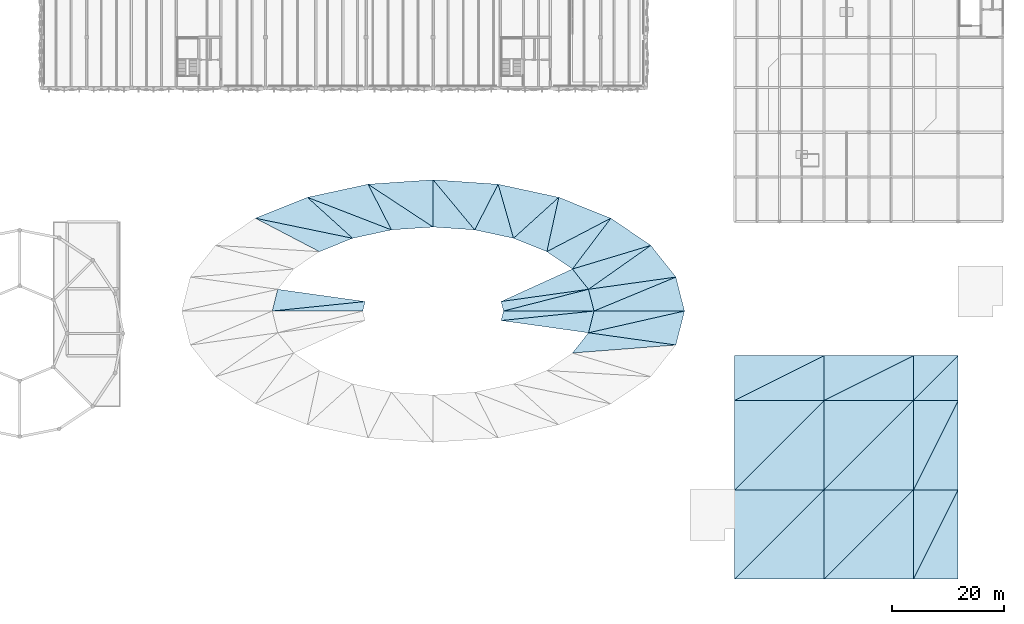
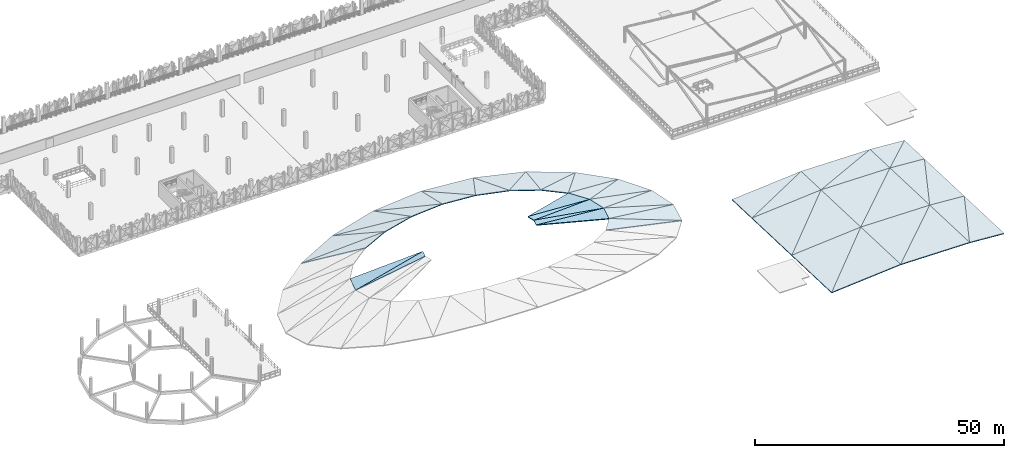
# One storey, part 44 of 52: 46 roofs.
"""IFC4 building model written with IfcOpenShell, lengths in metres."""

from ifc_helpers import new_model, si_unit, derived_unit, direction, frame, origin, place, context, subcontext, project, spatial, polygons, material, layer, layer_set, type_object, element, save


model = new_model("IFC4")

# Units and contexts
model_context = context("Model", 3, precision=1e-05, world=origin(), true_north=direction((0.0, 1.0)))
body_context = subcontext(model_context, "Body", "Model", "MODEL_VIEW")
ifc_project = project(units=[si_unit("LENGTHUNIT", "METRE"), si_unit("AREAUNIT", "SQUARE_METRE"), si_unit("VOLUMEUNIT", "CUBIC_METRE"), si_unit("PLANEANGLEUNIT", "RADIAN"), si_unit("MASSUNIT", "GRAM", prefix="KILO"), si_unit("THERMODYNAMICTEMPERATUREUNIT", "KELVIN"), derived_unit("THERMALTRANSMITTANCEUNIT", [(si_unit("POWERUNIT", "WATT"), 1), (si_unit("AREAUNIT", "SQUARE_METRE"), -1), (si_unit("THERMODYNAMICTEMPERATUREUNIT", "KELVIN"), -1)])], contexts=[model_context])

# Site, building, storey
site_placement = place(None, origin())
site = spatial("IfcSite", under=ifc_project, at=site_placement, CompositionType="ELEMENT")
building_placement = place(site_placement, origin())
building = spatial("IfcBuilding", under=site, at=building_placement, Name="Haiyu Intermodal Mobility Hub", CompositionType="ELEMENT")
storey_placement = place(building_placement, frame((0.0, 0.0, 21.199951171875)))
storey = spatial("IfcBuildingStorey", under=building, at=storey_placement, Name="L05", CompositionType="ELEMENT", Elevation=21.199951171875)

# Roofs
ifc_material = material(Name="Steel Q355C", Category="steel")
ifc_layer_1 = layer(ifc_material, 0.219970703125)
ifc_layer_set_1 = layer_set([ifc_layer_1], Name="Steel Q355C")
roof_type_1 = type_object("IfcRoofType", Name="ROF-RF01", PredefinedType="FREEFORM", material=ifc_layer_set_1)
roof_1_placement = place(storey_placement, origin())
element("IfcRoof", 1, at=roof_1_placement, inside=storey, type_object=roof_type_1, Name="Saddle Cable-Net Roof Panel 025", PredefinedType="FREEFORM", context=body_context, shape_type="Tessellation", body=[
    polygons([(120.60009765625, 64.0, 3.111083984375), (136.800048828125, 64.0, 0.412109375), (135.819091796875, 67.89306640625, 0.54296875), (120.60009765625, 64.0, 3.31103515625), (136.800048828125, 64.0, 0.612060546875), (135.819091796875, 67.89306640625, 0.7431640625)], [[[3, 2, 1]], [[4, 5, 6]], [[1, 2, 5, 4]], [[2, 3, 6, 5]], [[3, 1, 4, 6]]], closed=True),
])
roof_2_placement = place(storey_placement, origin())
element("IfcRoof", 2, at=roof_2_placement, inside=storey, type_object=roof_type_1, Name="Saddle Cable-Net Roof Panel 026", PredefinedType="FREEFORM", context=body_context, shape_type="Tessellation", body=[
    polygons([(120.60009765625, 64.0, 3.111083984375), (135.819091796875, 67.89306640625, 0.54296875), (120.1708984375, 65.702880859375, 3.135986328125), (120.60009765625, 64.0, 3.31103515625), (135.819091796875, 67.89306640625, 0.7431640625), (120.1708984375, 65.702880859375, 3.3359375)], [[[3, 2, 1]], [[4, 5, 6]], [[1, 2, 5, 4]], [[2, 3, 6, 5]], [[3, 1, 4, 6]]], closed=True),
])
roof_3_placement = place(storey_placement, origin())
element("IfcRoof", 3, at=roof_3_placement, inside=storey, type_object=roof_type_1, Name="Saddle Cable-Net Roof Panel 027", PredefinedType="FREEFORM", context=body_context, shape_type="Tessellation", body=[
    polygons([(120.1708984375, 65.702880859375, 3.135986328125), (135.819091796875, 67.89306640625, 0.54296875), (132.94189453125, 71.52001953125, 0.903076171875), (120.1708984375, 65.702880859375, 3.3359375), (135.819091796875, 67.89306640625, 0.7431640625), (132.94189453125, 71.52001953125, 1.10302734375)], [[[3, 2, 1]], [[4, 5, 6]], [[1, 2, 5, 4]], [[2, 3, 6, 5]], [[3, 1, 4, 6]]], closed=True),
])
roof_4_placement = place(storey_placement, origin())
element("IfcRoof", 4, at=roof_4_placement, inside=storey, type_object=roof_type_1, Name="Saddle Cable-Net Roof Panel 047", PredefinedType="FREEFORM", context=body_context, shape_type="Tessellation", body=[
    polygons([(95.8291015625, 65.702880859375, 3.135986328125), (80.180908203125, 67.89306640625, 0.54296875), (79.199951171875, 64.0, 0.412109375), (95.8291015625, 65.702880859375, 3.3359375), (80.180908203125, 67.89306640625, 0.7431640625), (79.199951171875, 64.0, 0.612060546875)], [[[3, 2, 1]], [[4, 5, 6]], [[1, 2, 5, 4]], [[2, 3, 6, 5]], [[3, 1, 4, 6]]], closed=True),
])
roof_5_placement = place(storey_placement, origin())
element("IfcRoof", 5, at=roof_5_placement, inside=storey, type_object=roof_type_1, Name="Saddle Cable-Net Roof Panel 048", PredefinedType="FREEFORM", context=body_context, shape_type="Tessellation", body=[
    polygons([(95.8291015625, 65.702880859375, 3.135986328125), (79.199951171875, 64.0, 0.412109375), (95.39990234375, 64.0, 3.111083984375), (95.8291015625, 65.702880859375, 3.3359375), (79.199951171875, 64.0, 0.612060546875), (95.39990234375, 64.0, 3.31103515625)], [[[3, 2, 1]], [[4, 5, 6]], [[1, 2, 5, 4]], [[2, 3, 6, 5]], [[3, 1, 4, 6]]], closed=True),
])
roof_6_placement = place(storey_placement, origin())
element("IfcRoof", 6, at=roof_6_placement, inside=storey, type_object=roof_type_1, Name="Saddle Cable-Net Roof Panel 071", PredefinedType="FREEFORM", context=body_context, shape_type="Tessellation", body=[
    polygons([(120.1708984375, 62.297119140625, 3.135986328125), (135.819091796875, 60.10693359375, 0.54296875), (136.800048828125, 64.0, 0.412109375), (120.1708984375, 62.297119140625, 3.3359375), (135.819091796875, 60.10693359375, 0.7431640625), (136.800048828125, 64.0, 0.612060546875)], [[[3, 2, 1]], [[4, 5, 6]], [[1, 2, 5, 4]], [[2, 3, 6, 5]], [[3, 1, 4, 6]]], closed=True),
])
roof_7_placement = place(storey_placement, origin())
element("IfcRoof", 7, at=roof_7_placement, inside=storey, type_object=roof_type_1, Name="Saddle Cable-Net Roof Panel 072", PredefinedType="FREEFORM", context=body_context, shape_type="Tessellation", body=[
    polygons([(120.1708984375, 62.297119140625, 3.135986328125), (136.800048828125, 64.0, 0.412109375), (120.60009765625, 64.0, 3.111083984375), (120.1708984375, 62.297119140625, 3.3359375), (136.800048828125, 64.0, 0.612060546875), (120.60009765625, 64.0, 3.31103515625)], [[[3, 2, 1]], [[4, 5, 6]], [[1, 2, 5, 4]], [[2, 3, 6, 5]], [[3, 1, 4, 6]]], closed=True),
])
roof_8_placement = place(storey_placement, origin())
element("IfcRoof", 8, at=roof_8_placement, inside=storey, type_object=roof_type_1, Name="Saddle Cable-Net Roof Panel 073", PredefinedType="FREEFORM", context=body_context, shape_type="Tessellation", body=[
    polygons([(136.800048828125, 64.0, 0.412109375), (153.0, 64.0, -4.39990234375), (151.467041015625, 70.08203125, -4.078857421875), (136.800048828125, 64.0, 0.612060546875), (153.0, 64.0, -4.199951171875), (151.467041015625, 70.08203125, -3.87890625)], [[[3, 2, 1]], [[4, 5, 6]], [[1, 2, 5, 4]], [[2, 3, 6, 5]], [[3, 1, 4, 6]]], closed=True),
])
roof_9_placement = place(storey_placement, origin())
element("IfcRoof", 9, at=roof_9_placement, inside=storey, type_object=roof_type_1, Name="Saddle Cable-Net Roof Panel 074", PredefinedType="FREEFORM", context=body_context, shape_type="Tessellation", body=[
    polygons([(136.800048828125, 64.0, 0.412109375), (151.467041015625, 70.08203125, -4.078857421875), (135.819091796875, 67.89306640625, 0.54296875), (136.800048828125, 64.0, 0.612060546875), (151.467041015625, 70.08203125, -3.87890625), (135.819091796875, 67.89306640625, 0.7431640625)], [[[3, 2, 1]], [[4, 5, 6]], [[1, 2, 5, 4]], [[2, 3, 6, 5]], [[3, 1, 4, 6]]], closed=True),
])
roof_10_placement = place(storey_placement, origin())
element("IfcRoof", 10, at=roof_10_placement, inside=storey, type_object=roof_type_1, Name="Saddle Cable-Net Roof Panel 075", PredefinedType="FREEFORM", context=body_context, shape_type="Tessellation", body=[
    polygons([(135.819091796875, 67.89306640625, 0.54296875), (151.467041015625, 70.08203125, -4.078857421875), (146.970947265625, 75.75, -3.199951171875), (135.819091796875, 67.89306640625, 0.7431640625), (151.467041015625, 70.08203125, -3.87890625), (146.970947265625, 75.75, -3.0)], [[[3, 2, 1]], [[4, 5, 6]], [[1, 2, 5, 4]], [[2, 3, 6, 5]], [[3, 1, 4, 6]]], closed=True),
])
roof_11_placement = place(storey_placement, origin())
element("IfcRoof", 11, at=roof_11_placement, inside=storey, type_object=roof_type_1, Name="Saddle Cable-Net Roof Panel 076", PredefinedType="FREEFORM", context=body_context, shape_type="Tessellation", body=[
    polygons([(135.819091796875, 67.89306640625, 0.54296875), (146.970947265625, 75.75, -3.199951171875), (132.94189453125, 71.52001953125, 0.903076171875), (135.819091796875, 67.89306640625, 0.7431640625), (146.970947265625, 75.75, -3.0), (132.94189453125, 71.52001953125, 1.10302734375)], [[[3, 2, 1]], [[4, 5, 6]], [[1, 2, 5, 4]], [[2, 3, 6, 5]], [[3, 1, 4, 6]]], closed=True),
])
roof_12_placement = place(storey_placement, origin())
element("IfcRoof", 12, at=roof_12_placement, inside=storey, type_object=roof_type_1, Name="Saddle Cable-Net Roof Panel 077", PredefinedType="FREEFORM", context=body_context, shape_type="Tessellation", body=[
    polygons([(132.94189453125, 71.52001953125, 0.903076171875), (146.970947265625, 75.75, -3.199951171875), (139.820068359375, 80.616943359375, -2.0), (132.94189453125, 71.52001953125, 1.10302734375), (146.970947265625, 75.75, -3.0), (139.820068359375, 80.616943359375, -1.800048828125)], [[[3, 2, 1]], [[4, 5, 6]], [[1, 2, 5, 4]], [[2, 3, 6, 5]], [[3, 1, 4, 6]]], closed=True),
])
roof_13_placement = place(storey_placement, origin())
element("IfcRoof", 13, at=roof_13_placement, inside=storey, type_object=roof_type_1, Name="Saddle Cable-Net Roof Panel 078", PredefinedType="FREEFORM", context=body_context, shape_type="Tessellation", body=[
    polygons([(132.94189453125, 71.52001953125, 0.903076171875), (139.820068359375, 80.616943359375, -2.0), (128.364990234375, 74.635009765625, 1.39501953125), (132.94189453125, 71.52001953125, 1.10302734375), (139.820068359375, 80.616943359375, -1.800048828125), (128.364990234375, 74.635009765625, 1.594970703125)], [[[3, 2, 1]], [[4, 5, 6]], [[1, 2, 5, 4]], [[2, 3, 6, 5]], [[3, 1, 4, 6]]], closed=True),
])
roof_14_placement = place(storey_placement, origin())
element("IfcRoof", 14, at=roof_14_placement, inside=storey, type_object=roof_type_1, Name="Saddle Cable-Net Roof Panel 079", PredefinedType="FREEFORM", context=body_context, shape_type="Tessellation", body=[
    polygons([(128.364990234375, 74.635009765625, 1.39501953125), (139.820068359375, 80.616943359375, -2.0), (130.5, 84.35205078125, -0.800048828125), (128.364990234375, 74.635009765625, 1.594970703125), (139.820068359375, 80.616943359375, -1.800048828125), (130.5, 84.35205078125, -0.599853515625)], [[[3, 2, 1]], [[4, 5, 6]], [[1, 2, 5, 4]], [[2, 3, 6, 5]], [[3, 1, 4, 6]]], closed=True),
])
roof_15_placement = place(storey_placement, origin())
element("IfcRoof", 15, at=roof_15_placement, inside=storey, type_object=roof_type_1, Name="Saddle Cable-Net Roof Panel 080", PredefinedType="FREEFORM", context=body_context, shape_type="Tessellation", body=[
    polygons([(128.364990234375, 74.635009765625, 1.39501953125), (130.5, 84.35205078125, -0.800048828125), (122.39990234375, 77.02490234375, 1.885986328125), (128.364990234375, 74.635009765625, 1.594970703125), (130.5, 84.35205078125, -0.599853515625), (122.39990234375, 77.02490234375, 2.0859375)], [[[3, 2, 1]], [[4, 5, 6]], [[1, 2, 5, 4]], [[2, 3, 6, 5]], [[3, 1, 4, 6]]], closed=True),
])
roof_16_placement = place(storey_placement, origin())
element("IfcRoof", 16, at=roof_16_placement, inside=storey, type_object=roof_type_1, Name="Saddle Cable-Net Roof Panel 081", PredefinedType="FREEFORM", context=body_context, shape_type="Tessellation", body=[
    polygons([(122.39990234375, 77.02490234375, 1.885986328125), (130.5, 84.35205078125, -0.800048828125), (119.64697265625, 86.698974609375, 0.0791015625), (122.39990234375, 77.02490234375, 2.0859375), (130.5, 84.35205078125, -0.599853515625), (119.64697265625, 86.698974609375, 0.279052734375)], [[[3, 2, 1]], [[4, 5, 6]], [[1, 2, 5, 4]], [[2, 3, 6, 5]], [[3, 1, 4, 6]]], closed=True),
])
roof_17_placement = place(storey_placement, origin())
element("IfcRoof", 17, at=roof_17_placement, inside=storey, type_object=roof_type_1, Name="Saddle Cable-Net Roof Panel 082", PredefinedType="FREEFORM", context=body_context, shape_type="Tessellation", body=[
    polygons([(122.39990234375, 77.02490234375, 1.885986328125), (119.64697265625, 86.698974609375, 0.0791015625), (115.4541015625, 78.528076171875, 2.24609375), (122.39990234375, 77.02490234375, 2.0859375), (119.64697265625, 86.698974609375, 0.279052734375), (115.4541015625, 78.528076171875, 2.446044921875)], [[[3, 2, 1]], [[4, 5, 6]], [[1, 2, 5, 4]], [[2, 3, 6, 5]], [[3, 1, 4, 6]]], closed=True),
])
roof_18_placement = place(storey_placement, origin())
element("IfcRoof", 18, at=roof_18_placement, inside=storey, type_object=roof_type_1, Name="Saddle Cable-Net Roof Panel 083", PredefinedType="FREEFORM", context=body_context, shape_type="Tessellation", body=[
    polygons([(115.4541015625, 78.528076171875, 2.24609375), (119.64697265625, 86.698974609375, 0.0791015625), (108.0, 87.5, 0.400146484375), (115.4541015625, 78.528076171875, 2.446044921875), (119.64697265625, 86.698974609375, 0.279052734375), (108.0, 87.5, 0.60009765625)], [[[3, 2, 1]], [[4, 5, 6]], [[1, 2, 5, 4]], [[2, 3, 6, 5]], [[3, 1, 4, 6]]], closed=True),
])
roof_19_placement = place(storey_placement, origin())
element("IfcRoof", 19, at=roof_19_placement, inside=storey, type_object=roof_type_1, Name="Saddle Cable-Net Roof Panel 084", PredefinedType="FREEFORM", context=body_context, shape_type="Tessellation", body=[
    polygons([(115.4541015625, 78.528076171875, 2.24609375), (108.0, 87.5, 0.400146484375), (108.0, 79.0400390625, 2.3779296875), (115.4541015625, 78.528076171875, 2.446044921875), (108.0, 87.5, 0.60009765625), (108.0, 79.0400390625, 2.578125)], [[[3, 2, 1]], [[4, 5, 6]], [[1, 2, 5, 4]], [[2, 3, 6, 5]], [[3, 1, 4, 6]]], closed=True),
])
roof_20_placement = place(storey_placement, origin())
element("IfcRoof", 20, at=roof_20_placement, inside=storey, type_object=roof_type_1, Name="Saddle Cable-Net Roof Panel 085", PredefinedType="FREEFORM", context=body_context, shape_type="Tessellation", body=[
    polygons([(108.0, 79.0400390625, 2.3779296875), (108.0, 87.5, 0.400146484375), (96.35302734375, 86.698974609375, 0.0791015625), (108.0, 79.0400390625, 2.578125), (108.0, 87.5, 0.60009765625), (96.35302734375, 86.698974609375, 0.279052734375)], [[[3, 2, 1]], [[4, 5, 6]], [[1, 2, 5, 4]], [[2, 3, 6, 5]], [[3, 1, 4, 6]]], closed=True),
])
roof_21_placement = place(storey_placement, origin())
element("IfcRoof", 21, at=roof_21_placement, inside=storey, type_object=roof_type_1, Name="Saddle Cable-Net Roof Panel 086", PredefinedType="FREEFORM", context=body_context, shape_type="Tessellation", body=[
    polygons([(108.0, 79.0400390625, 2.3779296875), (96.35302734375, 86.698974609375, 0.0791015625), (100.5458984375, 78.528076171875, 2.24609375), (108.0, 79.0400390625, 2.578125), (96.35302734375, 86.698974609375, 0.279052734375), (100.5458984375, 78.528076171875, 2.446044921875)], [[[3, 2, 1]], [[4, 5, 6]], [[1, 2, 5, 4]], [[2, 3, 6, 5]], [[3, 1, 4, 6]]], closed=True),
])
roof_22_placement = place(storey_placement, origin())
element("IfcRoof", 22, at=roof_22_placement, inside=storey, type_object=roof_type_1, Name="Saddle Cable-Net Roof Panel 087", PredefinedType="FREEFORM", context=body_context, shape_type="Tessellation", body=[
    polygons([(100.5458984375, 78.528076171875, 2.24609375), (96.35302734375, 86.698974609375, 0.0791015625), (85.5, 84.35205078125, -0.800048828125), (100.5458984375, 78.528076171875, 2.446044921875), (96.35302734375, 86.698974609375, 0.279052734375), (85.5, 84.35205078125, -0.599853515625)], [[[3, 2, 1]], [[4, 5, 6]], [[1, 2, 5, 4]], [[2, 3, 6, 5]], [[3, 1, 4, 6]]], closed=True),
])
roof_23_placement = place(storey_placement, origin())
element("IfcRoof", 23, at=roof_23_placement, inside=storey, type_object=roof_type_1, Name="Saddle Cable-Net Roof Panel 088", PredefinedType="FREEFORM", context=body_context, shape_type="Tessellation", body=[
    polygons([(100.5458984375, 78.528076171875, 2.24609375), (85.5, 84.35205078125, -0.800048828125), (93.60009765625, 77.02490234375, 1.885986328125), (100.5458984375, 78.528076171875, 2.446044921875), (85.5, 84.35205078125, -0.599853515625), (93.60009765625, 77.02490234375, 2.0859375)], [[[3, 2, 1]], [[4, 5, 6]], [[1, 2, 5, 4]], [[2, 3, 6, 5]], [[3, 1, 4, 6]]], closed=True),
])
roof_24_placement = place(storey_placement, origin())
element("IfcRoof", 24, at=roof_24_placement, inside=storey, type_object=roof_type_1, Name="Saddle Cable-Net Roof Panel 089", PredefinedType="FREEFORM", context=body_context, shape_type="Tessellation", body=[
    polygons([(93.60009765625, 77.02490234375, 1.885986328125), (85.5, 84.35205078125, -0.800048828125), (76.179931640625, 80.616943359375, -2.0), (93.60009765625, 77.02490234375, 2.0859375), (85.5, 84.35205078125, -0.599853515625), (76.179931640625, 80.616943359375, -1.800048828125)], [[[3, 2, 1]], [[4, 5, 6]], [[1, 2, 5, 4]], [[2, 3, 6, 5]], [[3, 1, 4, 6]]], closed=True),
])
roof_25_placement = place(storey_placement, origin())
element("IfcRoof", 25, at=roof_25_placement, inside=storey, type_object=roof_type_1, Name="Saddle Cable-Net Roof Panel 090", PredefinedType="FREEFORM", context=body_context, shape_type="Tessellation", body=[
    polygons([(93.60009765625, 77.02490234375, 1.885986328125), (76.179931640625, 80.616943359375, -2.0), (87.635009765625, 74.635009765625, 1.39501953125), (93.60009765625, 77.02490234375, 2.0859375), (76.179931640625, 80.616943359375, -1.800048828125), (87.635009765625, 74.635009765625, 1.594970703125)], [[[3, 2, 1]], [[4, 5, 6]], [[1, 2, 5, 4]], [[2, 3, 6, 5]], [[3, 1, 4, 6]]], closed=True),
])
roof_26_placement = place(storey_placement, origin())
element("IfcRoof", 26, at=roof_26_placement, inside=storey, type_object=roof_type_1, Name="Saddle Cable-Net Roof Panel 118", PredefinedType="FREEFORM", context=body_context, shape_type="Tessellation", body=[
    polygons([(132.94189453125, 56.47998046875, 0.903076171875), (151.467041015625, 57.91796875, -4.078857421875), (135.819091796875, 60.10693359375, 0.54296875), (132.94189453125, 56.47998046875, 1.10302734375), (151.467041015625, 57.91796875, -3.87890625), (135.819091796875, 60.10693359375, 0.7431640625)], [[[3, 2, 1]], [[4, 5, 6]], [[1, 2, 5, 4]], [[2, 3, 6, 5]], [[3, 1, 4, 6]]], closed=True),
])
roof_27_placement = place(storey_placement, origin())
element("IfcRoof", 27, at=roof_27_placement, inside=storey, type_object=roof_type_1, Name="Saddle Cable-Net Roof Panel 119", PredefinedType="FREEFORM", context=body_context, shape_type="Tessellation", body=[
    polygons([(135.819091796875, 60.10693359375, 0.54296875), (151.467041015625, 57.91796875, -4.078857421875), (153.0, 64.0, -4.39990234375), (135.819091796875, 60.10693359375, 0.7431640625), (151.467041015625, 57.91796875, -3.87890625), (153.0, 64.0, -4.199951171875)], [[[3, 2, 1]], [[4, 5, 6]], [[1, 2, 5, 4]], [[2, 3, 6, 5]], [[3, 1, 4, 6]]], closed=True),
])
roof_28_placement = place(storey_placement, origin())
element("IfcRoof", 28, at=roof_28_placement, inside=storey, type_object=roof_type_1, Name="Saddle Cable-Net Roof Panel 120", PredefinedType="FREEFORM", context=body_context, shape_type="Tessellation", body=[
    polygons([(135.819091796875, 60.10693359375, 0.54296875), (153.0, 64.0, -4.39990234375), (136.800048828125, 64.0, 0.412109375), (135.819091796875, 60.10693359375, 0.7431640625), (153.0, 64.0, -4.199951171875), (136.800048828125, 64.0, 0.612060546875)], [[[3, 2, 1]], [[4, 5, 6]], [[1, 2, 5, 4]], [[2, 3, 6, 5]], [[3, 1, 4, 6]]], closed=True),
])
ifc_layer_2 = layer(ifc_material, 0.260009765625)
ifc_layer_set_2 = layer_set([ifc_layer_2], Name="Steel Q355C")
roof_type_2 = type_object("IfcRoofType", Name="ROF-RF03", PredefinedType="SHED_ROOF", material=ifc_layer_set_2)
roof_29_placement = place(storey_placement, origin())
element("IfcRoof", 29, at=roof_29_placement, inside=storey, type_object=roof_type_2, Name="Bicycle Atrium Swept Wave Roof 01", PredefinedType="SHED_ROOF", context=body_context, shape_type="Tessellation", body=[
    polygons([(162.0, 16.0, 0.0), (178.0, 16.0, 1.2939453125), (178.0, 32.0, 0.714111328125), (162.0, 16.0, 0.199951171875), (178.0, 16.0, 1.494140625), (178.0, 32.0, 0.9140625)], [[[3, 2, 1]], [[4, 5, 6]], [[1, 2, 5, 4]], [[2, 3, 6, 5]], [[3, 1, 4, 6]]], closed=True),
])
roof_30_placement = place(storey_placement, origin())
element("IfcRoof", 30, at=roof_30_placement, inside=storey, type_object=roof_type_2, Name="Bicycle Atrium Swept Wave Roof 02", PredefinedType="SHED_ROOF", context=body_context, shape_type="Tessellation", body=[
    polygons([(162.0, 16.0, 0.0), (178.0, 32.0, 0.714111328125), (162.0, 32.0, -0.579833984375), (162.0, 16.0, 0.199951171875), (178.0, 32.0, 0.9140625), (162.0, 32.0, -0.3798828125)], [[[3, 2, 1]], [[4, 5, 6]], [[1, 2, 5, 4]], [[2, 3, 6, 5]], [[3, 1, 4, 6]]], closed=True),
])
roof_31_placement = place(storey_placement, origin())
element("IfcRoof", 31, at=roof_31_placement, inside=storey, type_object=roof_type_2, Name="Bicycle Atrium Swept Wave Roof 03", PredefinedType="SHED_ROOF", context=body_context, shape_type="Tessellation", body=[
    polygons([(162.0, 32.0, -0.579833984375), (178.0, 32.0, 0.714111328125), (178.0, 48.0, 0.134033203125), (162.0, 32.0, -0.3798828125), (178.0, 32.0, 0.9140625), (178.0, 48.0, 0.333984375)], [[[3, 2, 1]], [[4, 5, 6]], [[1, 2, 5, 4]], [[2, 3, 6, 5]], [[3, 1, 4, 6]]], closed=True),
])
roof_32_placement = place(storey_placement, origin())
element("IfcRoof", 32, at=roof_32_placement, inside=storey, type_object=roof_type_2, Name="Bicycle Atrium Swept Wave Roof 04", PredefinedType="SHED_ROOF", context=body_context, shape_type="Tessellation", body=[
    polygons([(162.0, 32.0, -0.579833984375), (178.0, 48.0, 0.134033203125), (162.0, 48.0, -1.159912109375), (162.0, 32.0, -0.3798828125), (178.0, 48.0, 0.333984375), (162.0, 48.0, -0.9599609375)], [[[3, 2, 1]], [[4, 5, 6]], [[1, 2, 5, 4]], [[2, 3, 6, 5]], [[3, 1, 4, 6]]], closed=True),
])
roof_33_placement = place(storey_placement, origin())
element("IfcRoof", 33, at=roof_33_placement, inside=storey, type_object=roof_type_2, Name="Bicycle Atrium Swept Wave Roof 05", PredefinedType="SHED_ROOF", context=body_context, shape_type="Tessellation", body=[
    polygons([(162.0, 48.0, -1.159912109375), (178.0, 48.0, 0.134033203125), (178.0, 56.0, -0.156005859375), (162.0, 48.0, -0.9599609375), (178.0, 48.0, 0.333984375), (178.0, 56.0, 0.0439453125)], [[[3, 2, 1]], [[4, 5, 6]], [[1, 2, 5, 4]], [[2, 3, 6, 5]], [[3, 1, 4, 6]]], closed=True),
])
roof_34_placement = place(storey_placement, origin())
element("IfcRoof", 34, at=roof_34_placement, inside=storey, type_object=roof_type_2, Name="Bicycle Atrium Swept Wave Roof 06", PredefinedType="SHED_ROOF", context=body_context, shape_type="Tessellation", body=[
    polygons([(162.0, 48.0, -1.159912109375), (178.0, 56.0, -0.156005859375), (162.0, 56.0, -1.449951171875), (162.0, 48.0, -0.9599609375), (178.0, 56.0, 0.0439453125), (162.0, 56.0, -1.25)], [[[3, 2, 1]], [[4, 5, 6]], [[1, 2, 5, 4]], [[2, 3, 6, 5]], [[3, 1, 4, 6]]], closed=True),
])
roof_35_placement = place(storey_placement, origin())
element("IfcRoof", 35, at=roof_35_placement, inside=storey, type_object=roof_type_2, Name="Bicycle Atrium Swept Wave Roof 07", PredefinedType="SHED_ROOF", context=body_context, shape_type="Tessellation", body=[
    polygons([(178.0, 16.0, 1.2939453125), (194.0, 16.0, 1.075927734375), (194.0, 32.0, 0.49609375), (178.0, 16.0, 1.494140625), (194.0, 16.0, 1.276123046875), (194.0, 32.0, 0.696044921875)], [[[3, 2, 1]], [[4, 5, 6]], [[1, 2, 5, 4]], [[2, 3, 6, 5]], [[3, 1, 4, 6]]], closed=True),
])
roof_36_placement = place(storey_placement, origin())
element("IfcRoof", 36, at=roof_36_placement, inside=storey, type_object=roof_type_2, Name="Bicycle Atrium Swept Wave Roof 08", PredefinedType="SHED_ROOF", context=body_context, shape_type="Tessellation", body=[
    polygons([(178.0, 16.0, 1.2939453125), (194.0, 32.0, 0.49609375), (178.0, 32.0, 0.714111328125), (178.0, 16.0, 1.494140625), (194.0, 32.0, 0.696044921875), (178.0, 32.0, 0.9140625)], [[[3, 2, 1]], [[4, 5, 6]], [[1, 2, 5, 4]], [[2, 3, 6, 5]], [[3, 1, 4, 6]]], closed=True),
])
roof_37_placement = place(storey_placement, origin())
element("IfcRoof", 37, at=roof_37_placement, inside=storey, type_object=roof_type_2, Name="Bicycle Atrium Swept Wave Roof 09", PredefinedType="SHED_ROOF", context=body_context, shape_type="Tessellation", body=[
    polygons([(178.0, 32.0, 0.714111328125), (194.0, 32.0, 0.49609375), (194.0, 48.0, -0.083984375), (178.0, 32.0, 0.9140625), (194.0, 32.0, 0.696044921875), (194.0, 48.0, 0.115966796875)], [[[3, 2, 1]], [[4, 5, 6]], [[1, 2, 5, 4]], [[2, 3, 6, 5]], [[3, 1, 4, 6]]], closed=True),
])
roof_38_placement = place(storey_placement, origin())
element("IfcRoof", 38, at=roof_38_placement, inside=storey, type_object=roof_type_2, Name="Bicycle Atrium Swept Wave Roof 10", PredefinedType="SHED_ROOF", context=body_context, shape_type="Tessellation", body=[
    polygons([(178.0, 32.0, 0.714111328125), (194.0, 48.0, -0.083984375), (178.0, 48.0, 0.134033203125), (178.0, 32.0, 0.9140625), (194.0, 48.0, 0.115966796875), (178.0, 48.0, 0.333984375)], [[[3, 2, 1]], [[4, 5, 6]], [[1, 2, 5, 4]], [[2, 3, 6, 5]], [[3, 1, 4, 6]]], closed=True),
])
roof_39_placement = place(storey_placement, origin())
element("IfcRoof", 39, at=roof_39_placement, inside=storey, type_object=roof_type_2, Name="Bicycle Atrium Swept Wave Roof 11", PredefinedType="SHED_ROOF", context=body_context, shape_type="Tessellation", body=[
    polygons([(178.0, 48.0, 0.134033203125), (194.0, 48.0, -0.083984375), (194.0, 56.0, -0.3740234375), (178.0, 48.0, 0.333984375), (194.0, 48.0, 0.115966796875), (194.0, 56.0, -0.174072265625)], [[[3, 2, 1]], [[4, 5, 6]], [[1, 2, 5, 4]], [[2, 3, 6, 5]], [[3, 1, 4, 6]]], closed=True),
])
roof_40_placement = place(storey_placement, origin())
element("IfcRoof", 40, at=roof_40_placement, inside=storey, type_object=roof_type_2, Name="Bicycle Atrium Swept Wave Roof 12", PredefinedType="SHED_ROOF", context=body_context, shape_type="Tessellation", body=[
    polygons([(178.0, 48.0, 0.134033203125), (194.0, 56.0, -0.3740234375), (178.0, 56.0, -0.156005859375), (178.0, 48.0, 0.333984375), (194.0, 56.0, -0.174072265625), (178.0, 56.0, 0.0439453125)], [[[3, 2, 1]], [[4, 5, 6]], [[1, 2, 5, 4]], [[2, 3, 6, 5]], [[3, 1, 4, 6]]], closed=True),
])
roof_41_placement = place(storey_placement, origin())
element("IfcRoof", 41, at=roof_41_placement, inside=storey, type_object=roof_type_2, Name="Bicycle Atrium Swept Wave Roof 13", PredefinedType="SHED_ROOF", context=body_context, shape_type="Tessellation", body=[
    polygons([(194.0, 16.0, 1.075927734375), (202.0, 16.0, 0.5), (202.0, 32.0, -0.079833984375), (194.0, 16.0, 1.276123046875), (202.0, 16.0, 0.699951171875), (202.0, 32.0, 0.1201171875)], [[[3, 2, 1]], [[4, 5, 6]], [[1, 2, 5, 4]], [[2, 3, 6, 5]], [[3, 1, 4, 6]]], closed=True),
])
roof_42_placement = place(storey_placement, origin())
element("IfcRoof", 42, at=roof_42_placement, inside=storey, type_object=roof_type_2, Name="Bicycle Atrium Swept Wave Roof 14", PredefinedType="SHED_ROOF", context=body_context, shape_type="Tessellation", body=[
    polygons([(194.0, 16.0, 1.075927734375), (202.0, 32.0, -0.079833984375), (194.0, 32.0, 0.49609375), (194.0, 16.0, 1.276123046875), (202.0, 32.0, 0.1201171875), (194.0, 32.0, 0.696044921875)], [[[3, 2, 1]], [[4, 5, 6]], [[1, 2, 5, 4]], [[2, 3, 6, 5]], [[3, 1, 4, 6]]], closed=True),
])
roof_43_placement = place(storey_placement, origin())
element("IfcRoof", 43, at=roof_43_placement, inside=storey, type_object=roof_type_2, Name="Bicycle Atrium Swept Wave Roof 15", PredefinedType="SHED_ROOF", context=body_context, shape_type="Tessellation", body=[
    polygons([(194.0, 32.0, 0.49609375), (202.0, 32.0, -0.079833984375), (202.0, 48.0, -0.659912109375), (194.0, 32.0, 0.696044921875), (202.0, 32.0, 0.1201171875), (202.0, 48.0, -0.4599609375)], [[[3, 2, 1]], [[4, 5, 6]], [[1, 2, 5, 4]], [[2, 3, 6, 5]], [[3, 1, 4, 6]]], closed=True),
])
roof_44_placement = place(storey_placement, origin())
element("IfcRoof", 44, at=roof_44_placement, inside=storey, type_object=roof_type_2, Name="Bicycle Atrium Swept Wave Roof 16", PredefinedType="SHED_ROOF", context=body_context, shape_type="Tessellation", body=[
    polygons([(194.0, 32.0, 0.49609375), (202.0, 48.0, -0.659912109375), (194.0, 48.0, -0.083984375), (194.0, 32.0, 0.696044921875), (202.0, 48.0, -0.4599609375), (194.0, 48.0, 0.115966796875)], [[[3, 2, 1]], [[4, 5, 6]], [[1, 2, 5, 4]], [[2, 3, 6, 5]], [[3, 1, 4, 6]]], closed=True),
])
roof_45_placement = place(storey_placement, origin())
element("IfcRoof", 45, at=roof_45_placement, inside=storey, type_object=roof_type_2, Name="Bicycle Atrium Swept Wave Roof 17", PredefinedType="SHED_ROOF", context=body_context, shape_type="Tessellation", body=[
    polygons([(194.0, 48.0, -0.083984375), (202.0, 48.0, -0.659912109375), (202.0, 56.0, -0.949951171875), (194.0, 48.0, 0.115966796875), (202.0, 48.0, -0.4599609375), (202.0, 56.0, -0.75)], [[[3, 2, 1]], [[4, 5, 6]], [[1, 2, 5, 4]], [[2, 3, 6, 5]], [[3, 1, 4, 6]]], closed=True),
])
roof_46_placement = place(storey_placement, origin())
element("IfcRoof", 46, at=roof_46_placement, inside=storey, type_object=roof_type_2, Name="Bicycle Atrium Swept Wave Roof 18", PredefinedType="SHED_ROOF", context=body_context, shape_type="Tessellation", body=[
    polygons([(194.0, 48.0, -0.083984375), (202.0, 56.0, -0.949951171875), (194.0, 56.0, -0.3740234375), (194.0, 48.0, 0.115966796875), (202.0, 56.0, -0.75), (194.0, 56.0, -0.174072265625)], [[[3, 2, 1]], [[4, 5, 6]], [[1, 2, 5, 4]], [[2, 3, 6, 5]], [[3, 1, 4, 6]]], closed=True),
])

save(model, "model.ifc")
